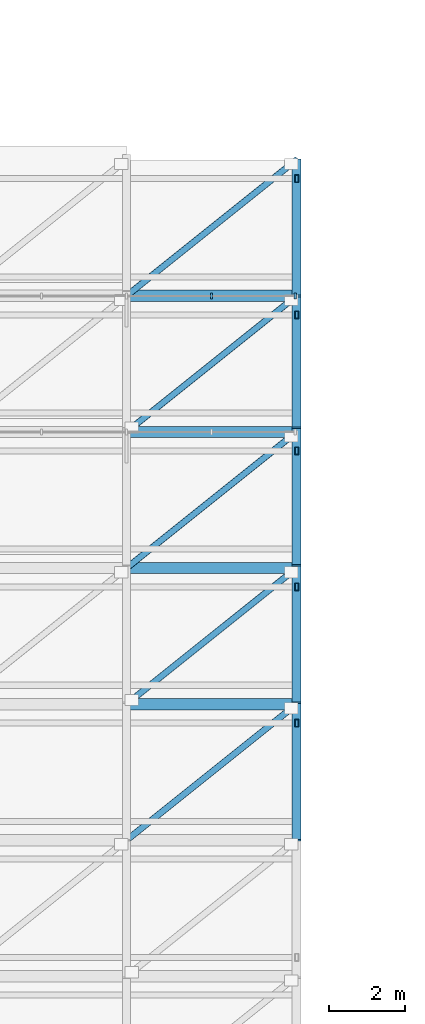
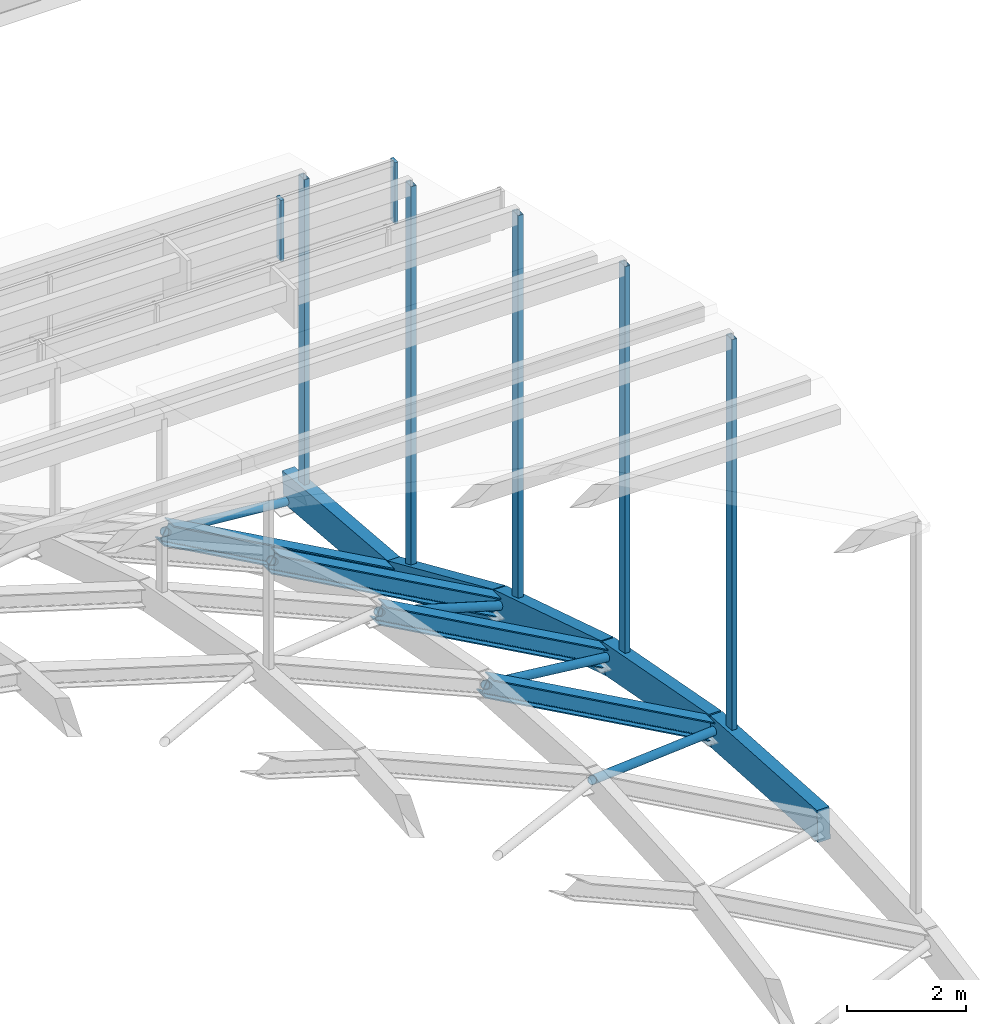
# One storey, part 35 of 69: 12 members, 9 beams, 1 element without a shape of its own.
"""IFC4 building model written with IfcOpenShell, lengths in metres."""

from ifc_helpers import new_model, si_unit, direction, frame, origin, origin_2d, place, context, subcontext, project, spatial, rectangle, hollow_rectangle, hollow_circle, i_section, extrude, material, layer, layer_set, material_profile, profile_set, type_object, element, aggregate, save


model = new_model("IFC4")

# Units and contexts
model_context = context("Model", 3, precision=1e-05, world=origin(), true_north=direction((0.0, 1.0)))
body_context = subcontext(model_context, "Body", "Model", "MODEL_VIEW")
ifc_project = project(units=[si_unit("LENGTHUNIT", "METRE"), si_unit("AREAUNIT", "SQUARE_METRE"), si_unit("VOLUMEUNIT", "CUBIC_METRE"), si_unit("PLANEANGLEUNIT", "RADIAN"), si_unit("MASSUNIT", "GRAM", prefix="KILO")], contexts=[model_context])

# Site, building, storey
site_placement = place(None, origin())
site = spatial("IfcSite", under=ifc_project, at=site_placement, CompositionType="ELEMENT")
building_placement = place(site_placement, origin())
building = spatial("IfcBuilding", under=site, at=building_placement, Name="Montealbar Specialist Clinic", CompositionType="ELEMENT")
storey_placement = place(building_placement, frame((0.0, 0.0, 9.60009765625)))
storey = spatial("IfcBuildingStorey", under=building, at=storey_placement, Name="L02", CompositionType="ELEMENT", Elevation=9.60009765625)

# Beams
ifc_material_1 = material(Name="Steel S355", Category="steel")
ifc_material_profile_1 = material_profile(ifc_material_1, i_section(OverallWidth=0.300048828125, OverallDepth=0.360107421875, WebThickness=0.012451171875, FlangeThickness=0.0224609375, FilletRadius=0.027099609375, at=origin_2d()), Name="HEB 360", Category="steel")
ifc_profile_set_1 = profile_set([ifc_material_profile_1], Name="Steel S355")
beam_type_1 = type_object("IfcBeamType", Name="BM-GIRD-HEB360-EXT", PredefinedType="BEAM", material=ifc_profile_set_1)
for number, where, z_axis, x_axis, name in (
    (1, (94.5, 66.60009765625, 6.517822265625), (0.874579956814, 0.0, -0.484881324799), (0.0, 1.0, 0.0), "Gridshell Roof Truss Arch Rib X 6-9"),
    (2, (94.5, 70.199951171875, 5.837890625), (0.874579956814, 0.0, -0.484881324799), (0.0, 1.0, 0.0), "Gridshell Roof Truss Arch Rib X 7-9"),
    (3, (94.5, 73.800048828125, 4.703857421875), (0.874579956814, 0.0, -0.484881324799), (0.0, 1.0, 0.0), "Gridshell Roof Truss Arch Rib X 8-9"),
):
    element("IfcBeam", number, at=place(storey_placement, frame(where, z_axis=z_axis, x_axis=x_axis)), inside=storey, type_object=beam_type_1, Name=name, PredefinedType="BEAM", context=body_context, shape_type="SweptSolid", body=[
        extrude(i_section(OverallWidth=0.300048828125, OverallDepth=0.360107421875, WebThickness=0.012451171875, FlangeThickness=0.0224609375, FilletRadius=0.027099609375, at=origin_2d()), origin(), (0.0, 0.0, 1.0), 5.145263671875),
    ])
ifc_material_profile_2 = material_profile(ifc_material_1, i_section(OverallWidth=0.300048828125, OverallDepth=0.39990234375, WebThickness=0.013427734375, FlangeThickness=0.02392578125, FilletRadius=0.027099609375, at=origin_2d()), Name="HEB 400", Category="steel")
ifc_profile_set_2 = profile_set([ifc_material_profile_2], Name="Steel S355")
beam_type_2 = type_object("IfcBeamType", Name="BM-GIRD-HEB400-EXT", PredefinedType="BEAM", material=ifc_profile_set_2)
beam_1_placement = place(storey_placement, frame((94.5, 77.39990234375, 3.115966796875), z_axis=(0.874559834946, 0.0, -0.484917616816), x_axis=(0.0, 1.0, 0.0)))
element("IfcBeam", 4, at=beam_1_placement, inside=storey, type_object=beam_type_2, Name="Gridshell Roof Truss Arch Rib X 9-9", PredefinedType="BEAM", context=body_context, shape_type="SweptSolid", body=[
    extrude(i_section(OverallWidth=0.300048828125, OverallDepth=0.39990234375, WebThickness=0.013427734375, FlangeThickness=0.02392578125, FilletRadius=0.027099609375, at=origin_2d()), origin(), (0.0, 0.0, 1.0), 5.1455078125),
])
ifc_material_2 = material(Name="Glulam GL28h", Category="wood")
ifc_material_profile_3 = material_profile(ifc_material_2, rectangle(XDim=0.239990234375, YDim=0.639892578125, at=origin_2d()), Name="GL28h 240x640", Category="wood")
ifc_profile_set_3 = profile_set([ifc_material_profile_3], Name="Glulam GL28h")
beam_type_3 = type_object("IfcBeamType", Name="BM-GL-240x640-EXT", PredefinedType="BEAM", material=ifc_profile_set_3)
beam_2_placement = place(storey_placement, frame((99.0, 63.0, 4.25), z_axis=(0.0, 0.998017130092, -0.062942895089), x_axis=(-1.0, 0.0, 0.0)))
element("IfcBeam", 5, at=beam_2_placement, inside=storey, type_object=beam_type_3, Name="Gridshell Glulam Roof Truss Rib Y 10-5", PredefinedType="BEAM", context=body_context, shape_type="SweptSolid", body=[
    extrude(rectangle(XDim=0.239990234375, YDim=0.639892578125, at=origin_2d()), origin(), (0.0, 0.0, 1.0), 3.607177734375),
])
beam_3_placement = place(storey_placement, frame((99.0, 66.60009765625, 4.02294921875), z_axis=(0.0, 0.982626127294, -0.185596050493), x_axis=(-1.0, 0.0, 0.0)))
element("IfcBeam", 6, at=beam_3_placement, inside=storey, type_object=beam_type_3, Name="Gridshell Glulam Roof Truss Rib Y 10-6", PredefinedType="BEAM", context=body_context, shape_type="SweptSolid", body=[
    extrude(rectangle(XDim=0.239990234375, YDim=0.639892578125, at=origin_2d()), origin(), (0.0, 0.0, 1.0), 3.66357421875),
])
beam_4_placement = place(storey_placement, frame((99.0, 70.199951171875, 3.343017578125), z_axis=(0.0, 0.953798460342, -0.300447161826), x_axis=(-1.0, 0.0, 0.0)))
element("IfcBeam", 7, at=beam_4_placement, inside=storey, type_object=beam_type_3, Name="Gridshell Glulam Roof Truss Rib Y 10-7", PredefinedType="BEAM", context=body_context, shape_type="SweptSolid", body=[
    extrude(rectangle(XDim=0.239990234375, YDim=0.639892578125, at=origin_2d()), origin(), (0.0, 0.0, 1.0), 3.7744140625),
])
beam_5_placement = place(storey_placement, frame((99.0, 73.800048828125, 2.208984375), z_axis=(0.0, 0.914921171359, -0.403632568307), x_axis=(-1.0, 0.0, 0.0)))
element("IfcBeam", 8, at=beam_5_placement, inside=storey, type_object=beam_type_3, Name="Gridshell Glulam Roof Truss Rib Y 10-8", PredefinedType="BEAM", context=body_context, shape_type="SweptSolid", body=[
    extrude(rectangle(XDim=0.239990234375, YDim=0.639892578125, at=origin_2d()), origin(), (0.0, 0.0, 1.0), 3.9345703125),
])
beam_6_placement = place(storey_placement, frame((99.0, 77.39990234375, 0.620849609375), z_axis=(0.0, 0.996522415849, -0.083325114522), x_axis=(-1.0, 0.0, 0.0)))
element("IfcBeam", 9, at=beam_6_placement, inside=storey, type_object=beam_type_3, Name="Gridshell Glulam Roof Truss Rib Y 10-9", PredefinedType="BEAM", context=body_context, shape_type="SweptSolid", body=[
    extrude(rectangle(XDim=0.239990234375, YDim=0.639892578125, at=origin_2d()), origin(), (0.0, 0.0, 1.0), 3.612548828125),
])

# Curtain wall, members
ifc_material_3 = material(Name="Low-E double glazing", Category="glass")
ifc_layer = layer(ifc_material_3, 0.199951171875, Name="Low-E double glazing", Category="glass")
ifc_layer_set = layer_set([ifc_layer], Name="Low-E double glazing")
curtain_wall_type = type_object("IfcCurtainWallType", Name="CW-TYPE-47", PredefinedType="NOTDEFINED", material=ifc_layer_set)
curtain_wall_placement = place(storey_placement, origin())
curtain_wall = element("IfcCurtainWall", 10, at=curtain_wall_placement, inside=storey, type_object=curtain_wall_type, Name="Unitised Curtain Wall CW-L02-900-774-990-774-175", PredefinedType="NOTDEFINED")
ifc_material_4 = material(Name="Anodised aluminium EN AW-6063", Category="aluminium")
ifc_material_profile_4 = material_profile(ifc_material_4, rectangle(XDim=0.06005859375, YDim=0.159912109375, at=origin_2d()), Name="ALU 60x160", Category="aluminium")
ifc_profile_set_4 = profile_set([ifc_material_profile_4], Name="Anodised aluminium EN AW-6063")
member_type_1 = type_object("IfcMemberType", Name="CW-MUL-160", PredefinedType="MULLION", material=ifc_profile_set_4)
member_1_placement = place(storey_placement, frame((96.75, 77.39990234375, 7.933837890625), z_axis=(0.0, 0.0, 1.0), x_axis=(1.0, 0.0, 0.0)))
member_1 = element("IfcMember", 11, at=member_1_placement, type_object=member_type_1, Name="Curtain Wall Mullion CW-L02-900-774-990-774-175-03", PredefinedType="MULLION", context=body_context, shape_type="SweptSolid", body=[
    extrude(rectangle(XDim=0.06005859375, YDim=0.159912109375, at=origin_2d()), origin(), (0.0, 0.0, 1.0), 1.257080078125),
])
member_2_placement = place(storey_placement, frame((98.965087890625, 77.39990234375, 7.933837890625), z_axis=(0.0, 0.0, 1.0), x_axis=(1.0, 0.0, 0.0)))
member_2 = element("IfcMember", 12, at=member_2_placement, type_object=member_type_1, Name="Curtain Wall Mullion CW-L02-900-774-990-774-175-04", PredefinedType="MULLION", context=body_context, shape_type="SweptSolid", body=[
    extrude(rectangle(XDim=0.06005859375, YDim=0.159912109375, at=origin_2d()), origin(), (0.0, 0.0, 1.0), 1.257080078125),
])
aggregate(curtain_wall, [member_1, member_2])

# Members
ifc_material_profile_5 = material_profile(ifc_material_1, hollow_circle(Radius=0.084228515625, WallThickness=0.008056640625, at=origin_2d()), Name="CHS 168.3x8.0", Category="steel")
ifc_profile_set_5 = profile_set([ifc_material_profile_5], Name="Steel S355")
member_type_2 = type_object("IfcMemberType", Name="MB-GS-DIAG-EXT", PredefinedType="BRACE", material=ifc_profile_set_5)
member_3_placement = place(storey_placement, frame((94.5, 63.0, 6.744873046875), z_axis=(0.706065253574, 0.564867525456, -0.427079075092), x_axis=(-0.624705380279, 0.780860543151, 0.0)))
element("IfcMember", 13, at=member_3_placement, inside=storey, type_object=member_type_2, Name="Gridshell Roof Brace 9-5", PredefinedType="BRACE", context=body_context, shape_type="SweptSolid", body=[
    extrude(hollow_circle(Radius=0.084228515625, WallThickness=0.008056640625, at=origin_2d()), origin(), (0.0, 0.0, 1.0), 6.373291015625),
])
member_4_placement = place(storey_placement, frame((94.5, 66.60009765625, 6.517822265625), z_axis=(0.683954320387, 0.547141192171, -0.482538084978), x_axis=(-0.624679547852, 0.780881208953, 0.0)))
element("IfcMember", 14, at=member_4_placement, inside=storey, type_object=member_type_2, Name="Gridshell Roof Brace 9-6", PredefinedType="BRACE", context=body_context, shape_type="SweptSolid", body=[
    extrude(hollow_circle(Radius=0.084228515625, WallThickness=0.008056640625, at=origin_2d()), origin(), (0.0, 0.0, 1.0), 6.579345703125),
])
member_5_placement = place(storey_placement, frame((94.5, 70.199951171875, 5.837890625), z_axis=(0.660767564155, 0.528628390898, -0.532858565191), x_axis=(-0.624705380279, 0.780860543151, 0.0)))
element("IfcMember", 15, at=member_5_placement, inside=storey, type_object=member_type_2, Name="Gridshell Roof Brace 9-7", PredefinedType="BRACE", context=body_context, shape_type="SweptSolid", body=[
    extrude(hollow_circle(Radius=0.084228515625, WallThickness=0.008056640625, at=origin_2d()), origin(), (0.0, 0.0, 1.0), 6.810302734375),
])
member_6_placement = place(storey_placement, frame((94.5, 73.800048828125, 4.703857421875), z_axis=(0.637161806395, 0.509708704172, -0.578119251853), x_axis=(-0.624679547852, 0.780881208953, 0.0)))
element("IfcMember", 16, at=member_6_placement, inside=storey, type_object=member_type_2, Name="Gridshell Roof Brace 9-8", PredefinedType="BRACE", context=body_context, shape_type="SweptSolid", body=[
    extrude(hollow_circle(Radius=0.084228515625, WallThickness=0.008056640625, at=origin_2d()), origin(), (0.0, 0.0, 1.0), 7.0625),
])
member_7_placement = place(storey_placement, frame((94.5, 77.39990234375, 3.115966796875), z_axis=(0.686883207113, 0.54952147201, -0.475623392599), x_axis=(-0.624705380279, 0.780860543151, 0.0)))
element("IfcMember", 17, at=member_7_placement, inside=storey, type_object=member_type_2, Name="Gridshell Roof Brace 9-9", PredefinedType="BRACE", context=body_context, shape_type="SweptSolid", body=[
    extrude(hollow_circle(Radius=0.084228515625, WallThickness=0.008056640625, at=origin_2d()), origin(), (0.0, 0.0, 1.0), 6.55126953125),
])
ifc_material_profile_6 = material_profile(ifc_material_1, hollow_rectangle(XDim=0.10009765625, YDim=0.199951171875, WallThickness=0.008056640625, at=origin_2d()), Name="RHS 200x100x8", Category="steel")
ifc_profile_set_6 = profile_set([ifc_material_profile_6], Name="Steel S355")
member_type_3 = type_object("IfcMemberType", Name="MB-GS-PURLIN-ST-EXT", PredefinedType="PURLIN", material=ifc_profile_set_6)
for number, where, z_axis, x_axis, name in (
    (18, (99.0, 66.10009765625, 4.02294921875), (0.0, 0.0, 1.0), (1.0, 0.0, 0.0), "Gridshell Monitor Post 6-10"),
    (19, (99.0, 69.699951171875, 3.343017578125), (0.0, 0.0, 1.0), (1.0, 0.0, 0.0), "Gridshell Monitor Post 7-10"),
    (20, (99.0, 73.300048828125, 2.208984375), (0.0, 0.0, 1.0), (1.0, 0.0, 0.0), "Gridshell Monitor Post 8-10"),
    (21, (99.0, 76.89990234375, 0.620849609375), (0.0, 0.0, 1.0), (1.0, 0.0, 0.0), "Gridshell Monitor Post 9-10"),
):
    element("IfcMember", number, at=place(storey_placement, frame(where, z_axis=z_axis, x_axis=x_axis)), inside=storey, type_object=member_type_3, Name=name, PredefinedType="PURLIN", context=body_context, shape_type="SweptSolid", body=[
        extrude(hollow_rectangle(XDim=0.10009765625, YDim=0.199951171875, WallThickness=0.008056640625, at=origin_2d()), origin(), (0.0, 0.0, 1.0), 8.386962890625),
    ])
member_8_placement = place(storey_placement, frame((99.0, 80.5, 0.31982421875), z_axis=(0.0, 0.0, 1.0), x_axis=(1.0, 0.0, 0.0)))
element("IfcMember", 22, at=member_8_placement, inside=storey, type_object=member_type_3, Name="Gridshell Monitor Post 10-10", PredefinedType="PURLIN", context=body_context, shape_type="SweptSolid", body=[
    extrude(hollow_rectangle(XDim=0.10009765625, YDim=0.199951171875, WallThickness=0.008056640625, at=origin_2d()), origin(), (0.0, 0.0, 1.0), 6.64697265625),
])

save(model, "model.ifc")
